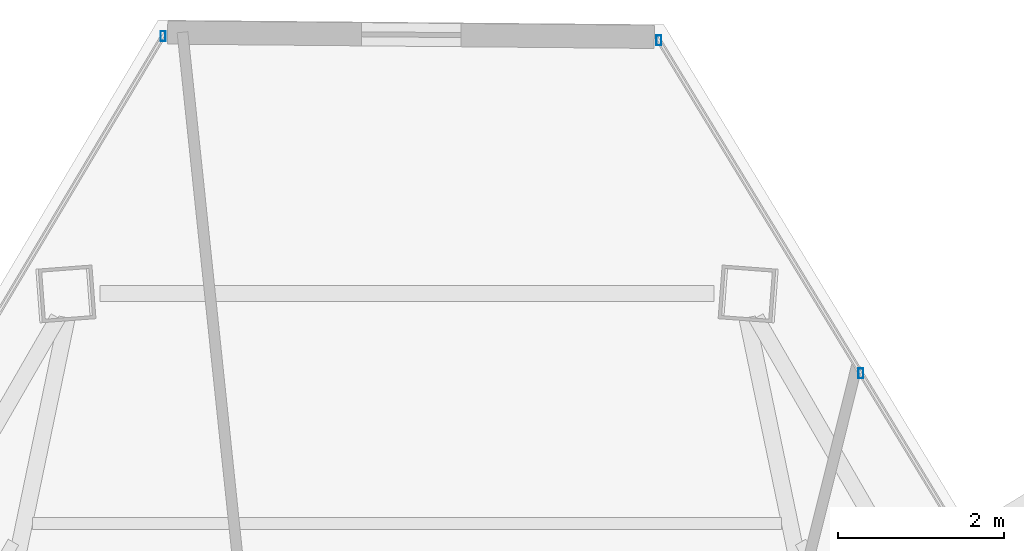
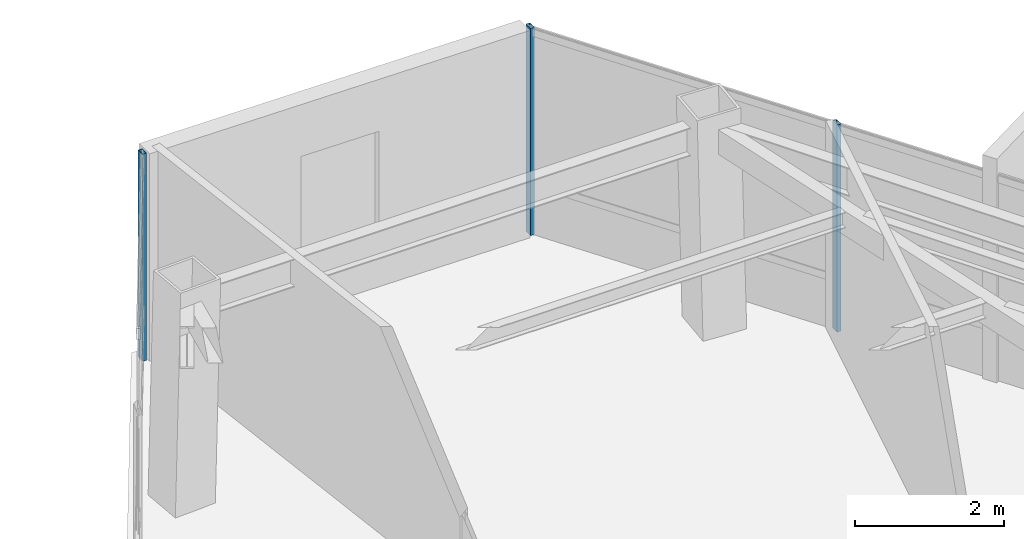
# One storey, part 33 of 42: 3 members, 2 elements without a shape of their own.
"""IFC4 building model written with IfcOpenShell, lengths in metres."""

from ifc_helpers import new_model, si_unit, direction, frame, origin, origin_2d, place, context, subcontext, project, spatial, hollow_rectangle, extrude, source, transform, mapped, material, material_profile, profile_set, type_object, type_shapes, element, aggregate, save


model = new_model("IFC4")

# Units and contexts
model_context = context("Model", 3, precision=1e-05, world=origin(), true_north=direction((0.0, 1.0)))
body_context = subcontext(model_context, "Body", "Model", "MODEL_VIEW")
ifc_project = project(units=[si_unit("LENGTHUNIT", "METRE"), si_unit("AREAUNIT", "SQUARE_METRE"), si_unit("VOLUMEUNIT", "CUBIC_METRE"), si_unit("PLANEANGLEUNIT", "RADIAN"), si_unit("MASSUNIT", "GRAM", prefix="KILO")], contexts=[model_context])

# Site, building, storey
site_placement = place(None, origin())
site = spatial("IfcSite", under=ifc_project, at=site_placement, CompositionType="ELEMENT")
building_placement = place(site_placement, origin())
building = spatial("IfcBuilding", under=site, at=building_placement, Name="Caelisora Broadcast Tower", CompositionType="ELEMENT")
storey_placement = place(building_placement, frame((0.0, 0.0, 244.449951171875)))
storey = spatial("IfcBuildingStorey", under=building, at=storey_placement, Name="L64", CompositionType="ELEMENT", Elevation=244.449951171875)

# Curtain wall, members
ifc_material_1 = material(Name="Unitised Aluminium and Low-E Glass Curtain Wall", Category="glass")
curtain_wall_type = type_object("IfcCurtainWallType", Name="CW-Z5", PredefinedType="NOTDEFINED", material=ifc_material_1)
curtain_wall_1_placement = place(storey_placement, origin())
curtain_wall_1 = element("IfcCurtainWall", 1, at=curtain_wall_1_placement, inside=storey, type_object=curtain_wall_type, Name="L64 curtain wall CW-Z5", PredefinedType="NOTDEFINED")
ifc_material_2 = material(Name="Aluminium 6063-T6 Anodised Terracotta Bronze", Category="aluminium")
ifc_material_profile = material_profile(ifc_material_2, hollow_rectangle(XDim=0.06005859375, YDim=0.1201171875, WallThickness=0.0029296875, at=origin_2d()), Name="Aluminium 6063-T6 Anodised Terracotta Bronze")
ifc_profile_set = profile_set([ifc_material_profile], Name="Aluminium 6063-T6 Anodised Terracotta Bronze")
member_type = type_object("IfcMemberType", Name="CWM-04", PredefinedType="MULLION", material=ifc_profile_set)
shared_shape = source(origin(), body_context, "Body", "SweptSolid", [
    extrude(hollow_rectangle(XDim=0.06005859375, YDim=0.1201171875, WallThickness=0.0029296875, at=origin_2d()), origin(), (0.0, 0.0, 1.0), 3.400146484375),
])
type_shapes(member_type, [shared_shape])
member_1_placement = place(storey_placement, frame((41.039794921875, 49.71435546875, 0.0), z_axis=(0.0, 0.0, 1.0), x_axis=(1.0, 0.0, 0.0)))
member_1 = element("IfcMember", 2, at=member_1_placement, type_object=member_type, Name="L64-CW-B01 mullion #0", PredefinedType="MULLION", context=body_context, shape_type="MappedRepresentation", body=[
    mapped(shared_shape, transform((0.0, 0.0, 0.0), scale=1.0)),
])
member_2_placement = place(storey_placement, frame((43.478271484375, 45.695556640625, 0.0), z_axis=(0.0, 0.0, 1.0), x_axis=(1.0, 0.0, 0.0)))
member_2 = element("IfcMember", 3, at=member_2_placement, type_object=member_type, Name="L64-CW-B01 mullion #1", PredefinedType="MULLION", context=body_context, shape_type="MappedRepresentation", body=[
    mapped(shared_shape, transform((0.0, 0.0, 0.0), scale=1.0)),
])
aggregate(curtain_wall_1, [member_1, member_2])

# Curtain wall, member
curtain_wall_2_placement = place(storey_placement, origin())
curtain_wall_2 = element("IfcCurtainWall", 4, at=curtain_wall_2_placement, inside=storey, type_object=curtain_wall_type, Name="L64 curtain wall CW-Z5", PredefinedType="NOTDEFINED")
member_3_placement = place(storey_placement, frame((35.055419921875, 49.76708984375, 0.0), z_axis=(0.0, 0.0, 1.0), x_axis=(1.0, 0.0, 0.0)))
member_3 = element("IfcMember", 5, at=member_3_placement, type_object=member_type, Name="L64-CW-B11 mullion #3", PredefinedType="MULLION", context=body_context, shape_type="MappedRepresentation", body=[
    mapped(shared_shape, transform((0.0, 0.0, 0.0), scale=1.0)),
])
aggregate(curtain_wall_2, [member_3])

save(model, "model.ifc")
